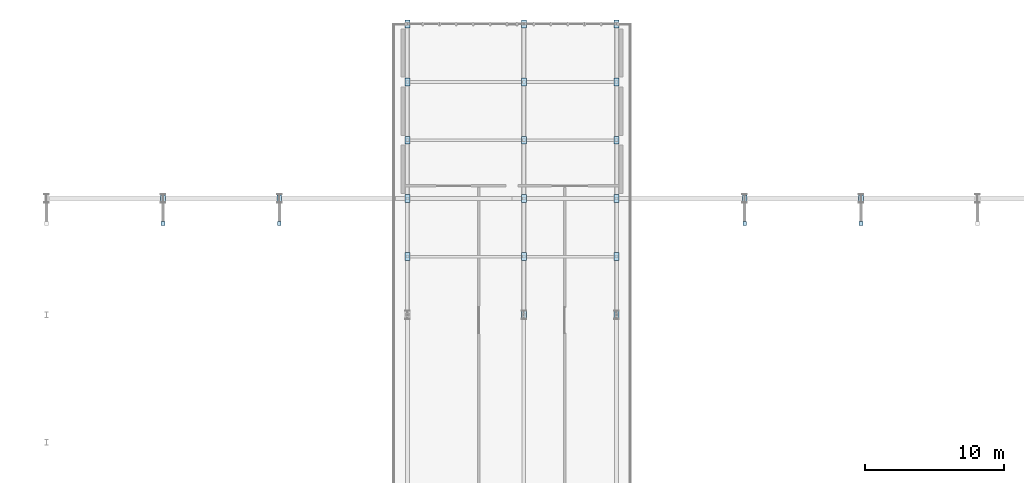
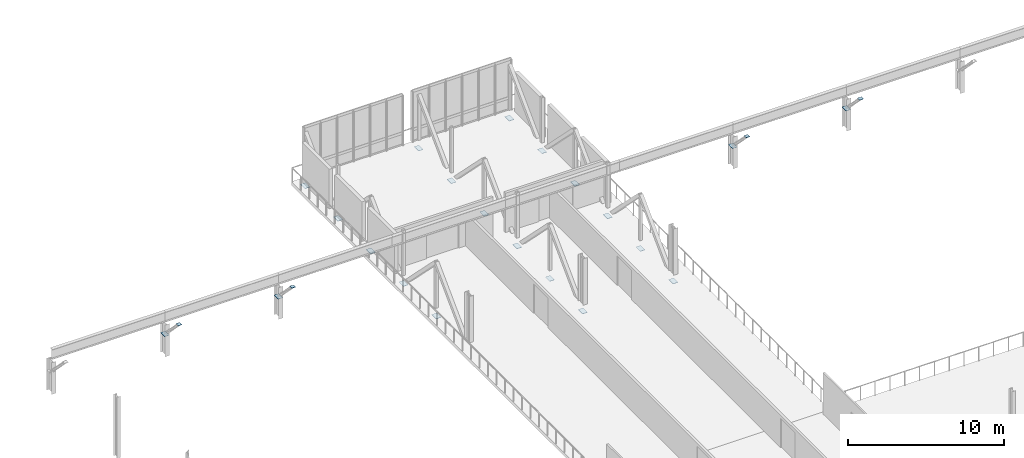
# One storey, part 84 of 107: 25 plates.
"""IFC4 building model written with IfcOpenShell, lengths in metres."""

from ifc_helpers import new_model, si_unit, derived_unit, direction, frame, origin, origin_2d, place, context, subcontext, project, spatial, rectangle, extrude, material, layer, layer_set, type_object, element, save


model = new_model("IFC4")

# Units and contexts
model_context = context("Model", 3, precision=1e-05, world=origin(), true_north=direction((0.0, 1.0)))
body_context = subcontext(model_context, "Body", "Model", "MODEL_VIEW")
ifc_project = project(units=[si_unit("LENGTHUNIT", "METRE"), si_unit("AREAUNIT", "SQUARE_METRE"), si_unit("VOLUMEUNIT", "CUBIC_METRE"), si_unit("PLANEANGLEUNIT", "RADIAN"), si_unit("MASSUNIT", "GRAM", prefix="KILO"), derived_unit("THERMALTRANSMITTANCEUNIT", [(si_unit("MASSUNIT", "GRAM", prefix="KILO"), 1), (si_unit("TIMEUNIT", "SECOND"), -3), (si_unit("THERMODYNAMICTEMPERATUREUNIT", "KELVIN"), -1)])], contexts=[model_context])

# Site, building, storey
site_placement = place(None, origin())
site = spatial("IfcSite", under=ifc_project, at=site_placement, CompositionType="ELEMENT")
building_placement = place(site_placement, origin())
building = spatial("IfcBuilding", under=site, at=building_placement, Name="Makaiwela Harbour Ferry Terminal", CompositionType="ELEMENT")
storey_placement = place(building_placement, frame((0.0, 0.0, 9.60009765625)))
storey = spatial("IfcBuildingStorey", under=building, at=storey_placement, Name="L02", CompositionType="ELEMENT", Elevation=9.60009765625)

# Plates
ifc_material = material(Name="Steel ASTM A572 Grade 50", Category="steel")
ifc_layer_1 = layer(ifc_material, 0.02001953125)
ifc_layer_set_1 = layer_set([ifc_layer_1], Name="Steel ASTM A572 Grade 50")
plate_type_1 = type_object("IfcPlateType", Name="STR-PLT-CAP1", PredefinedType="SHEET", material=ifc_layer_set_1)
for number, where, z_axis, x_axis, name in (
    (1, (71.39990234375, 101.60009765625, 3.39111328125), (0.0, 0.0, 1.0), (1.0, 0.0, 0.0), "Welded End Cap EC-0002"),
    (2, (79.800048828125, 101.60009765625, 3.39111328125), (0.0, 0.0, 1.0), (1.0, 0.0, 0.0), "Welded End Cap EC-0003"),
    (3, (113.39990234375, 101.60009765625, 3.39111328125), (0.0, 0.0, 1.0), (1.0, 0.0, 0.0), "Welded End Cap EC-0004"),
    (4, (121.800048828125, 101.60009765625, 3.39111328125), (0.0, 0.0, 1.0), (1.0, 0.0, 0.0), "Welded End Cap EC-0005"),
):
    element("IfcPlate", number, at=place(storey_placement, frame(where, z_axis=z_axis, x_axis=x_axis)), inside=storey, type_object=plate_type_1, Name=name, PredefinedType="SHEET", context=body_context, shape_type="SweptSolid", body=[
        extrude(rectangle(XDim=0.280029296875, YDim=0.280029296875, at=origin_2d()), origin(), (0.0, 0.0, 1.0), 0.02001953125),
    ])
ifc_layer_2 = layer(ifc_material, 0.02392578125)
ifc_layer_set_2 = layer_set([ifc_layer_2], Name="Steel ASTM A572 Grade 50")
plate_type_2 = type_object("IfcPlateType", Name="STR-PLT-GUS1", PredefinedType="USERDEFINED", material=ifc_layer_set_2)
for number, where, z_axis, x_axis, name in (
    (5, (89.050048828125, 99.199951171875, -0.697509765625), (0.0, 0.0, 1.0), (0.0, 1.0, 0.0), "Truss Gusset Plate GP-005"),
    (6, (89.050048828125, 103.39990234375, -0.697509765625), (0.0, 0.0, 1.0), (0.0, 1.0, 0.0), "Truss Gusset Plate GP-008"),
    (7, (89.050048828125, 107.60009765625, -0.697509765625), (0.0, 0.0, 1.0), (0.0, 1.0, 0.0), "Truss Gusset Plate GP-011"),
    (8, (89.050048828125, 111.800048828125, -0.697509765625), (0.0, 0.0, 1.0), (0.0, 1.0, 0.0), "Truss Gusset Plate GP-014"),
    (9, (89.050048828125, 116.0, -0.697509765625), (0.0, 0.0, 1.0), (0.0, 1.0, 0.0), "Truss Gusset Plate GP-017"),
    (10, (97.449951171875, 95.0, -0.697509765625), (0.0, 0.0, 1.0), (0.0, 1.0, 0.0), "Truss Gusset Plate GP-020"),
    (11, (97.449951171875, 99.199951171875, -0.697509765625), (0.0, 0.0, 1.0), (0.0, 1.0, 0.0), "Truss Gusset Plate GP-023"),
    (12, (97.449951171875, 103.39990234375, -0.697509765625), (0.0, 0.0, 1.0), (0.0, 1.0, 0.0), "Truss Gusset Plate GP-026"),
    (13, (97.449951171875, 107.60009765625, -0.697509765625), (0.0, 0.0, 1.0), (0.0, 1.0, 0.0), "Truss Gusset Plate GP-029"),
    (14, (97.449951171875, 111.800048828125, -0.697509765625), (0.0, 0.0, 1.0), (0.0, 1.0, 0.0), "Truss Gusset Plate GP-032"),
    (15, (97.449951171875, 116.0, -0.697509765625), (0.0, 0.0, 1.0), (0.0, 1.0, 0.0), "Truss Gusset Plate GP-035"),
    (16, (104.14990234375, 95.0, -0.697509765625), (0.0, 0.0, 1.0), (0.0, 1.0, 0.0), "Truss Gusset Plate GP-038"),
    (17, (104.14990234375, 99.199951171875, -0.697509765625), (0.0, 0.0, 1.0), (0.0, 1.0, 0.0), "Truss Gusset Plate GP-041"),
    (18, (104.14990234375, 103.39990234375, -0.697509765625), (0.0, 0.0, 1.0), (0.0, 1.0, 0.0), "Truss Gusset Plate GP-044"),
    (19, (104.14990234375, 107.60009765625, -0.697509765625), (0.0, 0.0, 1.0), (0.0, 1.0, 0.0), "Truss Gusset Plate GP-047"),
    (20, (104.14990234375, 111.800048828125, -0.697509765625), (0.0, 0.0, 1.0), (0.0, 1.0, 0.0), "Truss Gusset Plate GP-050"),
    (21, (104.14990234375, 116.0, -0.697509765625), (0.0, 0.0, 1.0), (0.0, 1.0, 0.0), "Truss Gusset Plate GP-053"),
):
    element("IfcPlate", number, at=place(storey_placement, frame(where, z_axis=z_axis, x_axis=x_axis)), inside=storey, type_object=plate_type_2, Name=name, ObjectType="GUSSET PLATE", PredefinedType="USERDEFINED", context=body_context, shape_type="SweptSolid", body=[
        extrude(rectangle(XDim=0.56005859375, YDim=0.360107421875, at=origin_2d()), origin(), (0.0, 0.0, 1.0), 0.02392578125),
    ])
ifc_layer_3 = layer(ifc_material, 0.02197265625)
ifc_layer_set_3 = layer_set([ifc_layer_3], Name="Steel ASTM A572 Grade 50")
plate_type_3 = type_object("IfcPlateType", Name="STR-PLT-GUS4", PredefinedType="USERDEFINED", material=ifc_layer_set_3)
for number, where, z_axis, x_axis, name in (
    (22, (71.39990234375, 103.39990234375, 1.538818359375), (0.0, 0.0, 1.0), (0.0, 1.0, 0.0), "Truss Gusset Plate GP-162"),
    (23, (79.800048828125, 103.39990234375, 1.538818359375), (0.0, 0.0, 1.0), (0.0, 1.0, 0.0), "Truss Gusset Plate GP-163"),
    (24, (113.39990234375, 103.39990234375, 1.538818359375), (0.0, 0.0, 1.0), (0.0, 1.0, 0.0), "Truss Gusset Plate GP-164"),
    (25, (121.800048828125, 103.39990234375, 1.538818359375), (0.0, 0.0, 1.0), (0.0, 1.0, 0.0), "Truss Gusset Plate GP-165"),
):
    element("IfcPlate", number, at=place(storey_placement, frame(where, z_axis=z_axis, x_axis=x_axis)), inside=storey, type_object=plate_type_3, Name=name, ObjectType="GUSSET PLATE", PredefinedType="USERDEFINED", context=body_context, shape_type="SweptSolid", body=[
        extrude(rectangle(XDim=0.52001953125, YDim=0.340087890625, at=origin_2d()), origin(), (0.0, 0.0, 1.0), 0.02197265625),
    ])

save(model, "model.ifc")
